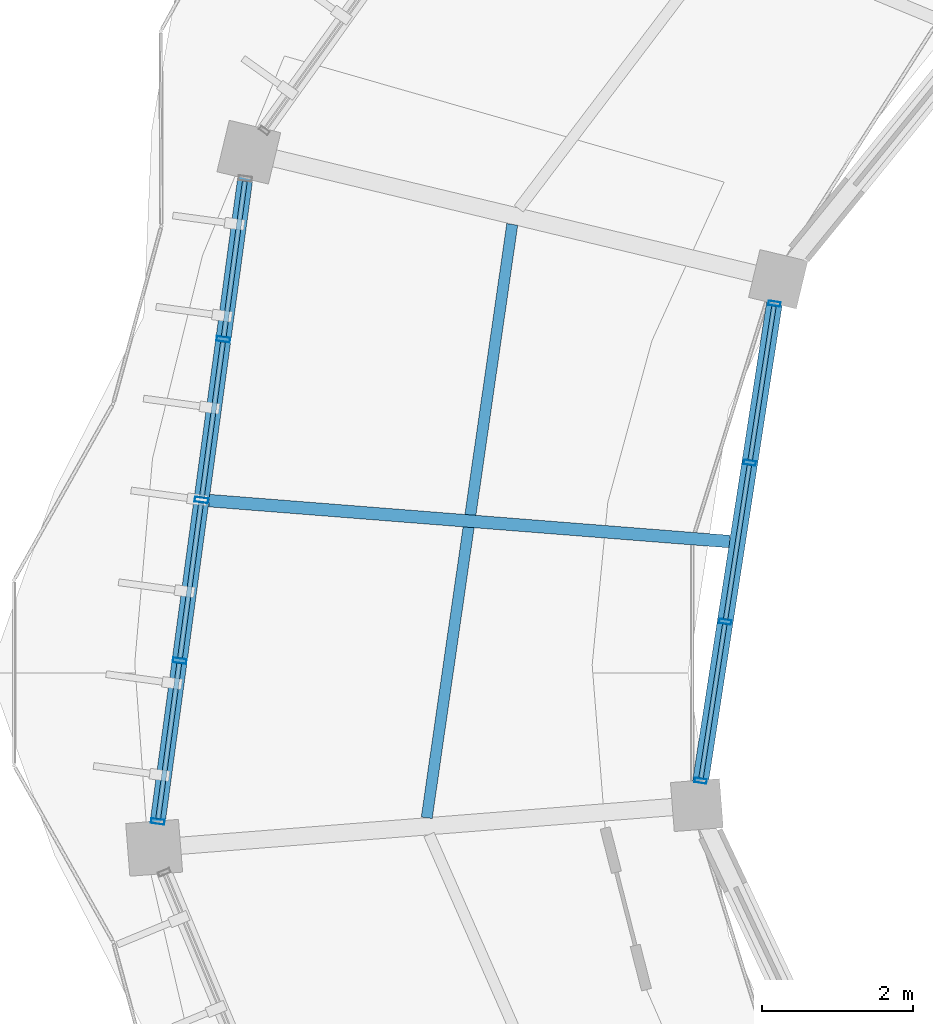
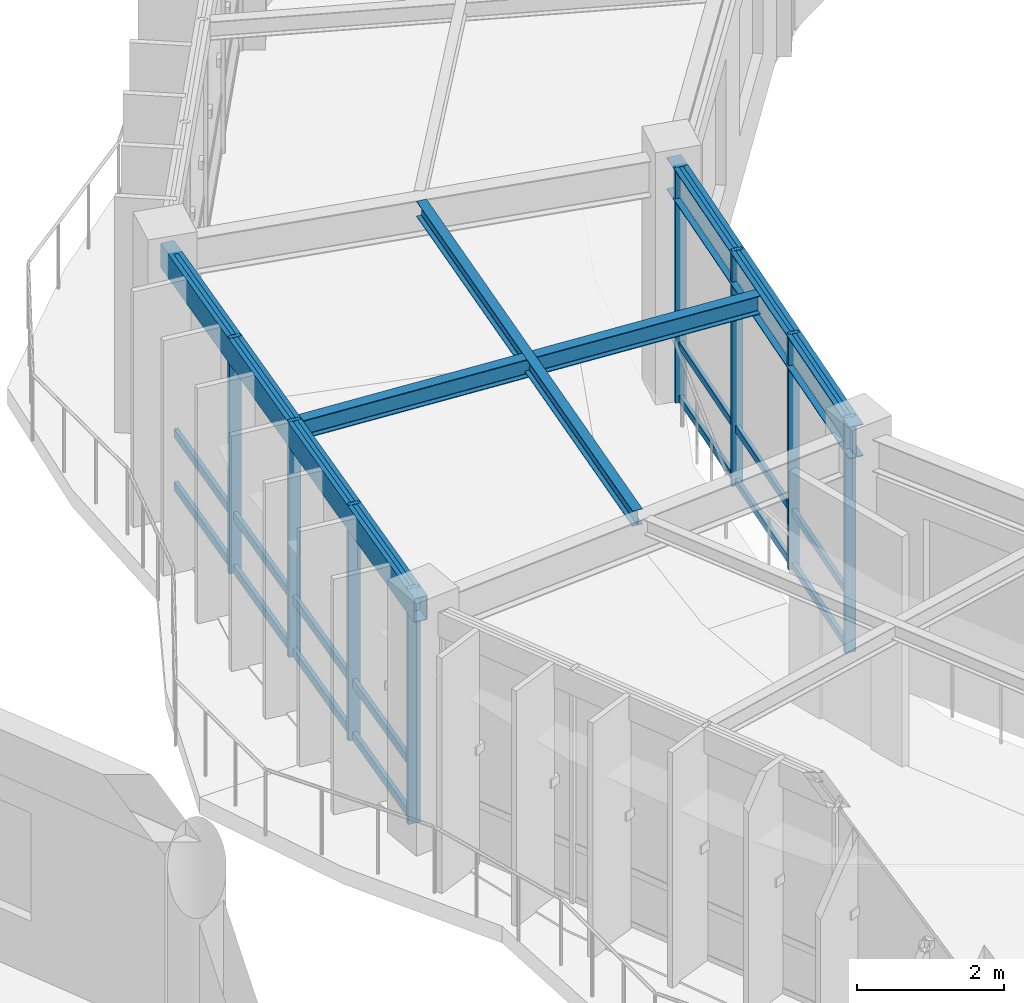
# One storey, part 39 of 138: 29 members, 4 beams, 2 elements without a shape of their own.
"""IFC4 building model written with IfcOpenShell, lengths in metres."""

from ifc_helpers import new_model, si_unit, direction, frame, origin, origin_2d, place, context, subcontext, project, spatial, hollow_rectangle, i_section, extrude, material, material_profile, profile_set, type_object, element, aggregate, save


model = new_model("IFC4")

# Units and contexts
model_context = context("Model", 3, precision=1e-05, world=origin(), true_north=direction((0.0, 1.0)))
body_context = subcontext(model_context, "Body", "Model", "MODEL_VIEW")
ifc_project = project(units=[si_unit("LENGTHUNIT", "METRE"), si_unit("AREAUNIT", "SQUARE_METRE"), si_unit("VOLUMEUNIT", "CUBIC_METRE"), si_unit("PLANEANGLEUNIT", "RADIAN"), si_unit("MASSUNIT", "GRAM", prefix="KILO"), si_unit("THERMODYNAMICTEMPERATUREUNIT", "KELVIN"), si_unit("POWERUNIT", "WATT")], contexts=[model_context])

# Site, building, storey
site_placement = place(None, origin())
site = spatial("IfcSite", under=ifc_project, at=site_placement, CompositionType="ELEMENT")
building_placement = place(site_placement, origin())
building = spatial("IfcBuilding", under=site, at=building_placement, Name="Darbajah Civic Hall", CompositionType="ELEMENT")
storey_placement = place(building_placement, frame((0.0, 0.0, 9.60009765625)))
storey = spatial("IfcBuildingStorey", under=building, at=storey_placement, Name="L02", CompositionType="ELEMENT", Elevation=9.60009765625)

# Curtain wall, members
ifc_material_1 = material(Name="Anodised Bronze Aluminium and Low-E Glazing", Category="aluminium")
curtain_wall_type_1 = type_object("IfcCurtainWallType", Name="Unitised Curtain Wall CW-46 6400x3900", PredefinedType="USERDEFINED", material=ifc_material_1)
curtain_wall_1_placement = place(storey_placement, origin())
curtain_wall_1 = element("IfcCurtainWall", 1, at=curtain_wall_1_placement, inside=storey, type_object=curtain_wall_type_1, Name="L02 unitised curtain wall CW-V1I-L02-09", ObjectType="UNITISED CURTAIN WALL", PredefinedType="USERDEFINED")
ifc_material_2 = material(Name="Anodised Bronze Aluminium", Category="aluminium")
ifc_material_profile_1 = material_profile(ifc_material_2, hollow_rectangle(XDim=0.06005859375, YDim=0.159912109375, WallThickness=0.00341796875, at=origin_2d()), Name="ALU MULLION 60x160")
ifc_profile_set_1 = profile_set([ifc_material_profile_1], Name="Anodised Bronze Aluminium")
member_type_1 = type_object("IfcMemberType", Name="ALU MULLION 60x160", PredefinedType="MULLION", material=ifc_profile_set_1)
member_1_placement = place(storey_placement, frame((46.460205078125, 94.6826171875, 0.0), z_axis=(0.0, 0.0, 1.0), x_axis=(-0.152813355565, -0.98825506746, 0.0)))
member_1 = element("IfcMember", 2, at=member_1_placement, type_object=member_type_1, Name="CW-V1I-L02-09 mullion 1", PredefinedType="MULLION", context=body_context, shape_type="SweptSolid", body=[
    extrude(hollow_rectangle(XDim=0.06005859375, YDim=0.159912109375, WallThickness=0.00341796875, at=origin_2d()), origin(), (0.0, 0.0, 1.0), 3.919921875),
])
member_2_placement = place(storey_placement, frame((46.135009765625, 92.57958984375, 0.0), z_axis=(0.0, 0.0, 1.0), x_axis=(-0.152813355565, -0.98825506746, 0.0)))
member_2 = element("IfcMember", 3, at=member_2_placement, type_object=member_type_1, Name="CW-V1I-L02-09 mullion 2", PredefinedType="MULLION", context=body_context, shape_type="SweptSolid", body=[
    extrude(hollow_rectangle(XDim=0.06005859375, YDim=0.159912109375, WallThickness=0.00341796875, at=origin_2d()), origin(), (0.0, 0.0, 1.0), 3.919921875),
])
member_3_placement = place(storey_placement, frame((45.81005859375, 90.4765625, 0.0), z_axis=(0.0, 0.0, 1.0), x_axis=(-0.152813355565, -0.98825506746, 0.0)))
member_3 = element("IfcMember", 4, at=member_3_placement, type_object=member_type_1, Name="CW-V1I-L02-09 mullion 3", PredefinedType="MULLION", context=body_context, shape_type="SweptSolid", body=[
    extrude(hollow_rectangle(XDim=0.06005859375, YDim=0.159912109375, WallThickness=0.00341796875, at=origin_2d()), origin(), (0.0, 0.0, 1.0), 3.919921875),
])
member_4_placement = place(storey_placement, frame((45.485107421875, 88.37353515625, 0.0), z_axis=(0.0, 0.0, 1.0), x_axis=(-0.152813355565, -0.98825506746, 0.0)))
member_4 = element("IfcMember", 5, at=member_4_placement, type_object=member_type_1, Name="CW-V1I-L02-09 mullion 4", PredefinedType="MULLION", context=body_context, shape_type="SweptSolid", body=[
    extrude(hollow_rectangle(XDim=0.06005859375, YDim=0.159912109375, WallThickness=0.00341796875, at=origin_2d()), origin(), (0.0, 0.0, 1.0), 3.919921875),
])

curtain_wall_type_2 = type_object("IfcCurtainWallType", Name="Unitised Curtain Wall CW-45 8600x3900", PredefinedType="USERDEFINED", material=ifc_material_1)
curtain_wall_2_placement = place(storey_placement, origin())
curtain_wall_2 = element("IfcCurtainWall", 6, at=curtain_wall_2_placement, inside=storey, type_object=curtain_wall_type_2, Name="L02 unitised curtain wall CW-V1O-L02-09", ObjectType="UNITISED CURTAIN WALL", PredefinedType="USERDEFINED")
ifc_material_profile_2 = material_profile(ifc_material_2, hollow_rectangle(XDim=0.06494140625, YDim=0.179931640625, WallThickness=0.00390625, at=origin_2d()), Name="ALU MULLION 65x180")
ifc_profile_set_2 = profile_set([ifc_material_profile_2], Name="Anodised Bronze Aluminium")
member_type_2 = type_object("IfcMemberType", Name="ALU MULLION 65x180", PredefinedType="MULLION", material=ifc_profile_set_2)
member_5_placement = place(storey_placement, frame((39.17236328125, 94.2119140625, 0.0), z_axis=(0.0, 0.0, 1.0), x_axis=(-0.134850930274, -0.990865897387, 0.0)))
member_5 = element("IfcMember", 7, at=member_5_placement, type_object=member_type_2, Name="CW-V1O-L02-09 mullion 2", PredefinedType="MULLION", context=body_context, shape_type="SweptSolid", body=[
    extrude(hollow_rectangle(XDim=0.06494140625, YDim=0.179931640625, WallThickness=0.00390625, at=origin_2d()), origin(), (0.0, 0.0, 1.0), 3.919921875),
])
member_6_placement = place(storey_placement, frame((38.88330078125, 92.086181640625, 0.0), z_axis=(0.0, 0.0, 1.0), x_axis=(-0.134850930274, -0.990865897387, 0.0)))
member_6 = element("IfcMember", 8, at=member_6_placement, type_object=member_type_2, Name="CW-V1O-L02-09 mullion 3", PredefinedType="MULLION", context=body_context, shape_type="SweptSolid", body=[
    extrude(hollow_rectangle(XDim=0.06494140625, YDim=0.179931640625, WallThickness=0.00390625, at=origin_2d()), origin(), (0.0, 0.0, 1.0), 3.919921875),
])
member_7_placement = place(storey_placement, frame((38.593994140625, 89.960205078125, 0.0), z_axis=(0.0, 0.0, 1.0), x_axis=(-0.134850930274, -0.990865897387, 0.0)))
member_7 = element("IfcMember", 9, at=member_7_placement, type_object=member_type_2, Name="CW-V1O-L02-09 mullion 4", PredefinedType="MULLION", context=body_context, shape_type="SweptSolid", body=[
    extrude(hollow_rectangle(XDim=0.06494140625, YDim=0.179931640625, WallThickness=0.00390625, at=origin_2d()), origin(), (0.0, 0.0, 1.0), 3.919921875),
])
member_8_placement = place(storey_placement, frame((38.3046875, 87.834228515625, 0.0), z_axis=(0.0, 0.0, 1.0), x_axis=(-0.134850930274, -0.990865897387, 0.0)))
member_8 = element("IfcMember", 10, at=member_8_placement, type_object=member_type_2, Name="CW-V1O-L02-09 mullion 5", PredefinedType="MULLION", context=body_context, shape_type="SweptSolid", body=[
    extrude(hollow_rectangle(XDim=0.06494140625, YDim=0.179931640625, WallThickness=0.00390625, at=origin_2d()), origin(), (0.0, 0.0, 1.0), 3.919921875),
])

# Member
ifc_material_profile_3 = material_profile(ifc_material_2, hollow_rectangle(XDim=0.06005859375, YDim=0.1201171875, WallThickness=0.003173828125, at=origin_2d()), Name="ALU TRANSOM 60x120")
ifc_profile_set_3 = profile_set([ifc_material_profile_3], Name="Anodised Bronze Aluminium")
member_type_3 = type_object("IfcMemberType", Name="ALU TRANSOM 60x120", PredefinedType="USERDEFINED", material=ifc_profile_set_3)
member_9_placement = place(storey_placement, frame((46.454833984375, 94.64794921875, 0.059814453125), z_axis=(-0.152806001384, -0.988256204605, 0.0), x_axis=(0.988256204605, -0.152806001384, 0.0)))
member_9 = element("IfcMember", 11, at=member_9_placement, type_object=member_type_3, Name="CW-V1I-L02-09 transom 1.1", ObjectType="TRANSOM", PredefinedType="USERDEFINED", context=body_context, shape_type="SweptSolid", body=[
    extrude(hollow_rectangle(XDim=0.06005859375, YDim=0.1201171875, WallThickness=0.003173828125, at=origin_2d()), origin(), (0.0, 0.0, 1.0), 2.057861328125),
])

member_10_placement = place(storey_placement, frame((46.454833984375, 94.64794921875, 0.949951171875), z_axis=(-0.152806001384, -0.988256204605, 0.0), x_axis=(0.988256204605, -0.152806001384, 0.0)))
member_10 = element("IfcMember", 12, at=member_10_placement, type_object=member_type_3, Name="CW-V1I-L02-09 transom 1.2", ObjectType="TRANSOM", PredefinedType="USERDEFINED", context=body_context, shape_type="SweptSolid", body=[
    extrude(hollow_rectangle(XDim=0.06005859375, YDim=0.1201171875, WallThickness=0.003173828125, at=origin_2d()), origin(), (0.0, 0.0, 1.0), 2.057861328125),
])

member_11_placement = place(storey_placement, frame((46.454833984375, 94.64794921875, 3.85986328125), z_axis=(-0.152806001384, -0.988256204605, 0.0), x_axis=(0.988256204605, -0.152806001384, 0.0)))
member_11 = element("IfcMember", 13, at=member_11_placement, type_object=member_type_3, Name="CW-V1I-L02-09 transom 1.3", ObjectType="TRANSOM", PredefinedType="USERDEFINED", context=body_context, shape_type="SweptSolid", body=[
    extrude(hollow_rectangle(XDim=0.06005859375, YDim=0.1201171875, WallThickness=0.003173828125, at=origin_2d()), origin(), (0.0, 0.0, 1.0), 2.057861328125),
])

member_12_placement = place(storey_placement, frame((46.1298828125, 92.544921875, 0.059814453125), z_axis=(-0.152806001384, -0.988256204605, 0.0), x_axis=(0.988256204605, -0.152806001384, 0.0)))
member_12 = element("IfcMember", 14, at=member_12_placement, type_object=member_type_3, Name="CW-V1I-L02-09 transom 2.1", ObjectType="TRANSOM", PredefinedType="USERDEFINED", context=body_context, shape_type="SweptSolid", body=[
    extrude(hollow_rectangle(XDim=0.06005859375, YDim=0.1201171875, WallThickness=0.003173828125, at=origin_2d()), origin(), (0.0, 0.0, 1.0), 2.057861328125),
])

member_13_placement = place(storey_placement, frame((46.1298828125, 92.544921875, 0.949951171875), z_axis=(-0.152806001384, -0.988256204605, 0.0), x_axis=(0.988256204605, -0.152806001384, 0.0)))
member_13 = element("IfcMember", 15, at=member_13_placement, type_object=member_type_3, Name="CW-V1I-L02-09 transom 2.2", ObjectType="TRANSOM", PredefinedType="USERDEFINED", context=body_context, shape_type="SweptSolid", body=[
    extrude(hollow_rectangle(XDim=0.06005859375, YDim=0.1201171875, WallThickness=0.003173828125, at=origin_2d()), origin(), (0.0, 0.0, 1.0), 2.057861328125),
])

member_14_placement = place(storey_placement, frame((46.1298828125, 92.544921875, 3.85986328125), z_axis=(-0.152806001384, -0.988256204605, 0.0), x_axis=(0.988256204605, -0.152806001384, 0.0)))
member_14 = element("IfcMember", 16, at=member_14_placement, type_object=member_type_3, Name="CW-V1I-L02-09 transom 2.3", ObjectType="TRANSOM", PredefinedType="USERDEFINED", context=body_context, shape_type="SweptSolid", body=[
    extrude(hollow_rectangle(XDim=0.06005859375, YDim=0.1201171875, WallThickness=0.003173828125, at=origin_2d()), origin(), (0.0, 0.0, 1.0), 2.057861328125),
])

member_15_placement = place(storey_placement, frame((45.8046875, 90.44189453125, 0.059814453125), z_axis=(-0.152806001384, -0.988256204605, 0.0), x_axis=(0.988256204605, -0.152806001384, 0.0)))
member_15 = element("IfcMember", 17, at=member_15_placement, type_object=member_type_3, Name="CW-V1I-L02-09 transom 3.1", ObjectType="TRANSOM", PredefinedType="USERDEFINED", context=body_context, shape_type="SweptSolid", body=[
    extrude(hollow_rectangle(XDim=0.06005859375, YDim=0.1201171875, WallThickness=0.003173828125, at=origin_2d()), origin(), (0.0, 0.0, 1.0), 2.057861328125),
])

member_16_placement = place(storey_placement, frame((45.8046875, 90.44189453125, 0.949951171875), z_axis=(-0.152806001384, -0.988256204605, 0.0), x_axis=(0.988256204605, -0.152806001384, 0.0)))
member_16 = element("IfcMember", 18, at=member_16_placement, type_object=member_type_3, Name="CW-V1I-L02-09 transom 3.2", ObjectType="TRANSOM", PredefinedType="USERDEFINED", context=body_context, shape_type="SweptSolid", body=[
    extrude(hollow_rectangle(XDim=0.06005859375, YDim=0.1201171875, WallThickness=0.003173828125, at=origin_2d()), origin(), (0.0, 0.0, 1.0), 2.057861328125),
])

member_17_placement = place(storey_placement, frame((45.8046875, 90.44189453125, 3.85986328125), z_axis=(-0.152806001384, -0.988256204605, 0.0), x_axis=(0.988256204605, -0.152806001384, 0.0)))
member_17 = element("IfcMember", 19, at=member_17_placement, type_object=member_type_3, Name="CW-V1I-L02-09 transom 3.3", ObjectType="TRANSOM", PredefinedType="USERDEFINED", context=body_context, shape_type="SweptSolid", body=[
    extrude(hollow_rectangle(XDim=0.06005859375, YDim=0.1201171875, WallThickness=0.003173828125, at=origin_2d()), origin(), (0.0, 0.0, 1.0), 2.057861328125),
])

aggregate(curtain_wall_1, [member_1, member_2, member_3, member_4, member_9, member_10, member_11, member_12, member_13, member_14, member_15, member_16, member_17])

ifc_material_profile_4 = material_profile(ifc_material_2, hollow_rectangle(XDim=0.06494140625, YDim=0.139892578125, WallThickness=0.00341796875, at=origin_2d()), Name="ALU TRANSOM 65x140")
ifc_profile_set_4 = profile_set([ifc_material_profile_4], Name="Anodised Bronze Aluminium")
member_type_4 = type_object("IfcMemberType", Name="ALU TRANSOM 65x140", PredefinedType="USERDEFINED", material=ifc_profile_set_4)
member_18_placement = place(storey_placement, frame((39.45654296875, 96.300537109375, 0.06982421875), z_axis=(-0.134781683869, -0.990875318944, 0.0), x_axis=(0.990875318944, -0.134781683869, 0.0)))
member_18 = element("IfcMember", 20, at=member_18_placement, type_object=member_type_4, Name="CW-V1O-L02-09 transom 1.1", ObjectType="TRANSOM", PredefinedType="USERDEFINED", context=body_context, shape_type="SweptSolid", body=[
    extrude(hollow_rectangle(XDim=0.06494140625, YDim=0.139892578125, WallThickness=0.00341796875, at=origin_2d()), origin(), (0.0, 0.0, 1.0), 2.0703125),
])

member_19_placement = place(storey_placement, frame((39.45654296875, 96.300537109375, 0.949951171875), z_axis=(-0.134781683869, -0.990875318944, 0.0), x_axis=(0.990875318944, -0.134781683869, 0.0)))
member_19 = element("IfcMember", 21, at=member_19_placement, type_object=member_type_4, Name="CW-V1O-L02-09 transom 1.2", ObjectType="TRANSOM", PredefinedType="USERDEFINED", context=body_context, shape_type="SweptSolid", body=[
    extrude(hollow_rectangle(XDim=0.06494140625, YDim=0.139892578125, WallThickness=0.00341796875, at=origin_2d()), origin(), (0.0, 0.0, 1.0), 2.0703125),
])

member_20_placement = place(storey_placement, frame((39.45654296875, 96.300537109375, 3.849853515625), z_axis=(-0.134781683869, -0.990875318944, 0.0), x_axis=(0.990875318944, -0.134781683869, 0.0)))
member_20 = element("IfcMember", 22, at=member_20_placement, type_object=member_type_4, Name="CW-V1O-L02-09 transom 1.3", ObjectType="TRANSOM", PredefinedType="USERDEFINED", context=body_context, shape_type="SweptSolid", body=[
    extrude(hollow_rectangle(XDim=0.06494140625, YDim=0.139892578125, WallThickness=0.00341796875, at=origin_2d()), origin(), (0.0, 0.0, 1.0), 2.0703125),
])

member_21_placement = place(storey_placement, frame((39.167236328125, 94.1748046875, 0.06982421875), z_axis=(-0.134781683869, -0.990875318944, 0.0), x_axis=(0.990875318944, -0.134781683869, 0.0)))
member_21 = element("IfcMember", 23, at=member_21_placement, type_object=member_type_4, Name="CW-V1O-L02-09 transom 2.1", ObjectType="TRANSOM", PredefinedType="USERDEFINED", context=body_context, shape_type="SweptSolid", body=[
    extrude(hollow_rectangle(XDim=0.06494140625, YDim=0.139892578125, WallThickness=0.00341796875, at=origin_2d()), origin(), (0.0, 0.0, 1.0), 2.0703125),
])

member_22_placement = place(storey_placement, frame((39.167236328125, 94.1748046875, 0.949951171875), z_axis=(-0.134781683869, -0.990875318944, 0.0), x_axis=(0.990875318944, -0.134781683869, 0.0)))
member_22 = element("IfcMember", 24, at=member_22_placement, type_object=member_type_4, Name="CW-V1O-L02-09 transom 2.2", ObjectType="TRANSOM", PredefinedType="USERDEFINED", context=body_context, shape_type="SweptSolid", body=[
    extrude(hollow_rectangle(XDim=0.06494140625, YDim=0.139892578125, WallThickness=0.00341796875, at=origin_2d()), origin(), (0.0, 0.0, 1.0), 2.0703125),
])

member_23_placement = place(storey_placement, frame((39.167236328125, 94.1748046875, 3.849853515625), z_axis=(-0.134781683869, -0.990875318944, 0.0), x_axis=(0.990875318944, -0.134781683869, 0.0)))
member_23 = element("IfcMember", 25, at=member_23_placement, type_object=member_type_4, Name="CW-V1O-L02-09 transom 2.3", ObjectType="TRANSOM", PredefinedType="USERDEFINED", context=body_context, shape_type="SweptSolid", body=[
    extrude(hollow_rectangle(XDim=0.06494140625, YDim=0.139892578125, WallThickness=0.00341796875, at=origin_2d()), origin(), (0.0, 0.0, 1.0), 2.0703125),
])

member_24_placement = place(storey_placement, frame((38.878173828125, 92.048828125, 0.06982421875), z_axis=(-0.134781683869, -0.990875318944, 0.0), x_axis=(0.990875318944, -0.134781683869, 0.0)))
member_24 = element("IfcMember", 26, at=member_24_placement, type_object=member_type_4, Name="CW-V1O-L02-09 transom 3.1", ObjectType="TRANSOM", PredefinedType="USERDEFINED", context=body_context, shape_type="SweptSolid", body=[
    extrude(hollow_rectangle(XDim=0.06494140625, YDim=0.139892578125, WallThickness=0.00341796875, at=origin_2d()), origin(), (0.0, 0.0, 1.0), 2.0703125),
])

member_25_placement = place(storey_placement, frame((38.878173828125, 92.048828125, 0.949951171875), z_axis=(-0.134781683869, -0.990875318944, 0.0), x_axis=(0.990875318944, -0.134781683869, 0.0)))
member_25 = element("IfcMember", 27, at=member_25_placement, type_object=member_type_4, Name="CW-V1O-L02-09 transom 3.2", ObjectType="TRANSOM", PredefinedType="USERDEFINED", context=body_context, shape_type="SweptSolid", body=[
    extrude(hollow_rectangle(XDim=0.06494140625, YDim=0.139892578125, WallThickness=0.00341796875, at=origin_2d()), origin(), (0.0, 0.0, 1.0), 2.0703125),
])

member_26_placement = place(storey_placement, frame((38.878173828125, 92.048828125, 3.849853515625), z_axis=(-0.134781683869, -0.990875318944, 0.0), x_axis=(0.990875318944, -0.134781683869, 0.0)))
member_26 = element("IfcMember", 28, at=member_26_placement, type_object=member_type_4, Name="CW-V1O-L02-09 transom 3.3", ObjectType="TRANSOM", PredefinedType="USERDEFINED", context=body_context, shape_type="SweptSolid", body=[
    extrude(hollow_rectangle(XDim=0.06494140625, YDim=0.139892578125, WallThickness=0.00341796875, at=origin_2d()), origin(), (0.0, 0.0, 1.0), 2.0703125),
])

member_27_placement = place(storey_placement, frame((38.5888671875, 89.923095703125, 0.06982421875), z_axis=(-0.134781683869, -0.990875318944, 0.0), x_axis=(0.990875318944, -0.134781683869, 0.0)))
member_27 = element("IfcMember", 29, at=member_27_placement, type_object=member_type_4, Name="CW-V1O-L02-09 transom 4.1", ObjectType="TRANSOM", PredefinedType="USERDEFINED", context=body_context, shape_type="SweptSolid", body=[
    extrude(hollow_rectangle(XDim=0.06494140625, YDim=0.139892578125, WallThickness=0.00341796875, at=origin_2d()), origin(), (0.0, 0.0, 1.0), 2.0703125),
])

member_28_placement = place(storey_placement, frame((38.5888671875, 89.923095703125, 0.949951171875), z_axis=(-0.134781683869, -0.990875318944, 0.0), x_axis=(0.990875318944, -0.134781683869, 0.0)))
member_28 = element("IfcMember", 30, at=member_28_placement, type_object=member_type_4, Name="CW-V1O-L02-09 transom 4.2", ObjectType="TRANSOM", PredefinedType="USERDEFINED", context=body_context, shape_type="SweptSolid", body=[
    extrude(hollow_rectangle(XDim=0.06494140625, YDim=0.139892578125, WallThickness=0.00341796875, at=origin_2d()), origin(), (0.0, 0.0, 1.0), 2.0703125),
])

member_29_placement = place(storey_placement, frame((38.5888671875, 89.923095703125, 3.849853515625), z_axis=(-0.134781683869, -0.990875318944, 0.0), x_axis=(0.990875318944, -0.134781683869, 0.0)))
member_29 = element("IfcMember", 31, at=member_29_placement, type_object=member_type_4, Name="CW-V1O-L02-09 transom 4.3", ObjectType="TRANSOM", PredefinedType="USERDEFINED", context=body_context, shape_type="SweptSolid", body=[
    extrude(hollow_rectangle(XDim=0.06494140625, YDim=0.139892578125, WallThickness=0.00341796875, at=origin_2d()), origin(), (0.0, 0.0, 1.0), 2.0703125),
])

aggregate(curtain_wall_2, [member_5, member_6, member_7, member_8, member_18, member_19, member_20, member_21, member_22, member_23, member_24, member_25, member_26, member_27, member_28, member_29])

# Beams
ifc_material_3 = material(Name="Steel S355JR", Category="steel")
ifc_material_profile_5 = material_profile(ifc_material_3, hollow_rectangle(XDim=0.199951171875, YDim=0.39990234375, WallThickness=0.013916015625, at=origin_2d()), Name="RHS 400x200x14")
ifc_profile_set_5 = profile_set([ifc_material_profile_5], Name="Steel S355JR")
beam_type_1 = type_object("IfcBeamType", Name="RHS 400x200x14", PredefinedType="SPANDREL", material=ifc_profile_set_5)
beam_1_placement = place(storey_placement, frame((39.498291015625, 96.607421875, 3.719970703125), z_axis=(-0.134804002093, -0.9908722829, 0.0), x_axis=(0.9908722829, -0.134804002093, 0.0)))
element("IfcBeam", 32, at=beam_1_placement, inside=storey, type_object=beam_type_1, Name="L02 beam SP-RHS400", PredefinedType="SPANDREL", context=body_context, shape_type="SweptSolid", body=[
    extrude(hollow_rectangle(XDim=0.199951171875, YDim=0.39990234375, WallThickness=0.013916015625, at=origin_2d()), origin(), (0.0, 0.0, 1.0), 9.1259765625),
])
ifc_material_profile_6 = material_profile(ifc_material_3, i_section(OverallWidth=0.146484375, OverallDepth=0.256103515625, WebThickness=0.00634765625, FlangeThickness=0.010986328125, FilletRadius=0.007568359375, at=origin_2d()), Name="UB 254x146x37")
ifc_profile_set_6 = profile_set([ifc_material_profile_6], Name="Steel S355JR")
beam_type_2 = type_object("IfcBeamType", Name="UB 254x146x37", PredefinedType="JOIST", material=ifc_profile_set_6)
beam_2_placement = place(storey_placement, frame((42.9931640625, 95.7314453125, 3.7919921875), z_axis=(-0.142580747671, -0.989783173424, 0.0), x_axis=(0.989783173424, -0.142580747671, 0.0)))
element("IfcBeam", 33, at=beam_2_placement, inside=storey, type_object=beam_type_2, Name="L02 beam SJ-254", PredefinedType="JOIST", context=body_context, shape_type="SweptSolid", body=[
    extrude(i_section(OverallWidth=0.146484375, OverallDepth=0.256103515625, WebThickness=0.00634765625, FlangeThickness=0.010986328125, FilletRadius=0.007568359375, at=origin_2d()), origin(), (0.0, 0.0, 1.0), 7.9296875),
])
ifc_material_profile_7 = material_profile(ifc_material_3, i_section(OverallWidth=0.165771484375, OverallDepth=0.306640625, WebThickness=0.006591796875, FlangeThickness=0.01171875, FilletRadius=0.0087890625, at=origin_2d()), Name="UB 305x165x46")
ifc_profile_set_7 = profile_set([ifc_material_profile_7], Name="Steel S355JR")
beam_type_3 = type_object("IfcBeamType", Name="UB 305x165x46", PredefinedType="JOIST", material=ifc_profile_set_7)
beam_3_placement = place(storey_placement, frame((45.866943359375, 91.536376953125, 3.7666015625), z_axis=(-0.996918778661, 0.078440734012, 0.0), x_axis=(-0.078440734012, -0.996918778661, 0.0)))
element("IfcBeam", 34, at=beam_3_placement, inside=storey, type_object=beam_type_3, Name="L02 beam SJ-305", PredefinedType="JOIST", context=body_context, shape_type="SweptSolid", body=[
    extrude(i_section(OverallWidth=0.165771484375, OverallDepth=0.306640625, WebThickness=0.006591796875, FlangeThickness=0.01171875, FilletRadius=0.0087890625, at=origin_2d()), origin(), (0.0, 0.0, 1.0), 6.9033203125),
])
ifc_material_profile_8 = material_profile(ifc_material_3, i_section(OverallWidth=0.209228515625, OverallDepth=0.533203125, WebThickness=0.010009765625, FlangeThickness=0.015625, FilletRadius=0.0126953125, at=origin_2d()), Name="UB 533x210x92")
ifc_profile_set_8 = profile_set([ifc_material_profile_8], Name="Steel S355JR")
beam_type_4 = type_object("IfcBeamType", Name="UB 533x210x92", PredefinedType="BEAM", material=ifc_profile_set_8)
beam_4_placement = place(storey_placement, frame((46.498046875, 94.9267578125, 3.6533203125), z_axis=(-0.152771975645, -0.988261465128, 0.0), x_axis=(0.988261465128, -0.152771975645, 0.0)))
element("IfcBeam", 35, at=beam_4_placement, inside=storey, type_object=beam_type_4, Name="L02 beam SB-533", PredefinedType="BEAM", context=body_context, shape_type="SweptSolid", body=[
    extrude(i_section(OverallWidth=0.209228515625, OverallDepth=0.533203125, WebThickness=0.010009765625, FlangeThickness=0.015625, FilletRadius=0.0126953125, at=origin_2d()), origin(), (0.0, 0.0, 1.0), 6.878173828125),
])

save(model, "model.ifc")
